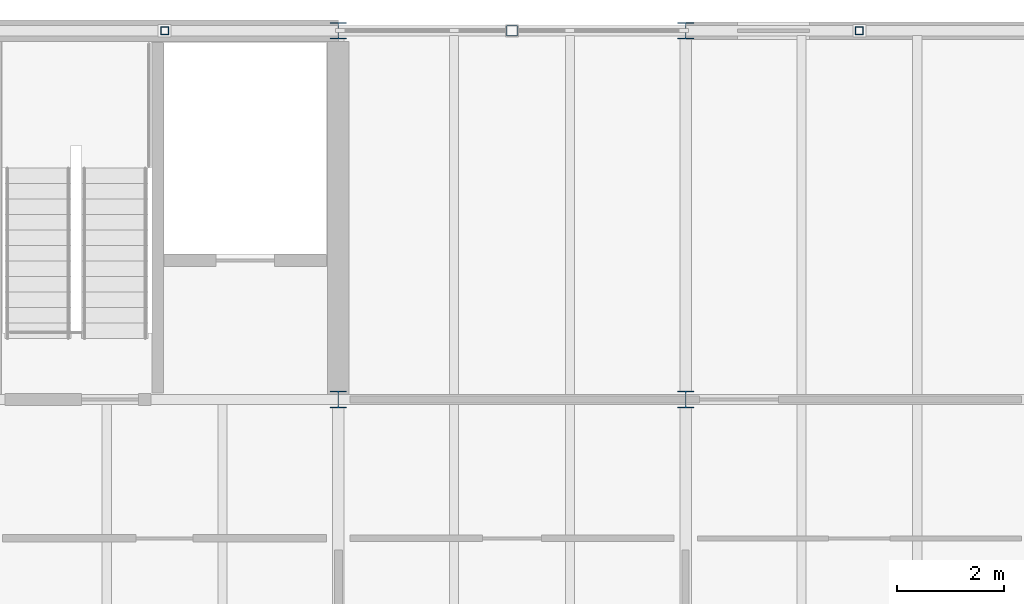
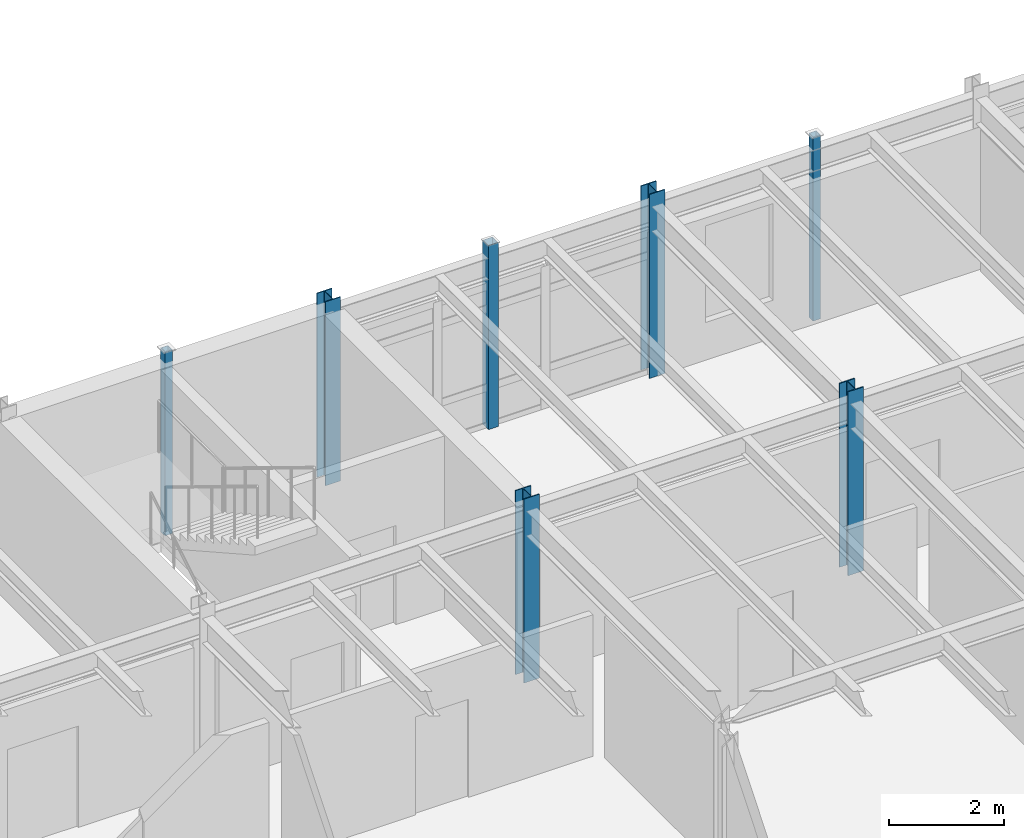
# One storey, part 9 of 49: 7 columns.
"""IFC4 building model written with IfcOpenShell, lengths in metres."""

from ifc_helpers import new_model, si_unit, direction, frame, origin, origin_2d, place, context, subcontext, project, spatial, hollow_rectangle, i_section, extrude, material, material_profile, profile_set, type_object, element, save


model = new_model("IFC4")

# Units and contexts
model_context = context("Model", 3, precision=1e-05, world=origin(), true_north=direction((0.0, 1.0)))
body_context = subcontext(model_context, "Body", "Model", "MODEL_VIEW")
ifc_project = project(units=[si_unit("LENGTHUNIT", "METRE"), si_unit("AREAUNIT", "SQUARE_METRE"), si_unit("VOLUMEUNIT", "CUBIC_METRE"), si_unit("PLANEANGLEUNIT", "RADIAN"), si_unit("MASSUNIT", "GRAM", prefix="KILO")], contexts=[model_context])

# Site, building, storey
site_placement = place(None, origin())
site = spatial("IfcSite", under=ifc_project, at=site_placement, CompositionType="ELEMENT")
building_placement = place(site_placement, origin())
building = spatial("IfcBuilding", under=site, at=building_placement, Name="Trelmorton Wharf Fire Station", CompositionType="ELEMENT")
storey_placement = place(building_placement, frame((0.0, 0.0, 9.60009765625)))
storey = spatial("IfcBuildingStorey", under=building, at=storey_placement, Name="L02", CompositionType="ELEMENT", Elevation=9.60009765625)

# Columns
ifc_material_1 = material(Name="Steel Grade 350", Category="steel")
ifc_material_profile_1 = material_profile(ifc_material_1, i_section(OverallWidth=0.306884765625, OverallDepth=0.31494140625, WebThickness=0.011962890625, FlangeThickness=0.018798828125, FilletRadius=0.0166015625, at=origin_2d()), Name="310UC118")
ifc_profile_set_1 = profile_set([ifc_material_profile_1], Name="Steel Grade 350")
column_type_1 = type_object("IfcColumnType", Name="COL_310UC118", PredefinedType="COLUMN", material=ifc_profile_set_1)
for number, where, z_axis, x_axis, name in (
    (1, (117.0, 74.10009765625, 0.0), (0.0, 0.0, 1.0), (1.0, 0.0, 0.0), "COL-L02-0526"),
    (2, (117.0, 81.0, 0.0), (0.0, 0.0, 1.0), (1.0, 0.0, 0.0), "COL-L02-0527"),
    (3, (123.5, 74.10009765625, 0.0), (0.0, 0.0, 1.0), (1.0, 0.0, 0.0), "COL-L02-0534"),
    (4, (123.5, 81.0, 0.0), (0.0, 0.0, 1.0), (1.0, 0.0, 0.0), "COL-L02-0535"),
):
    element("IfcColumn", number, at=place(storey_placement, frame(where, z_axis=z_axis, x_axis=x_axis)), inside=storey, type_object=column_type_1, Name=name, PredefinedType="COLUMN", context=body_context, shape_type="SweptSolid", body=[
        extrude(i_section(OverallWidth=0.306884765625, OverallDepth=0.31494140625, WebThickness=0.011962890625, FlangeThickness=0.018798828125, FilletRadius=0.0166015625, at=origin_2d()), origin(), (0.0, 0.0, 1.0), 3.89990234375),
    ])
ifc_material_2 = material(Name="Steel C350L0 (350 MPa)", Category="steel")
ifc_material_profile_2 = material_profile(ifc_material_2, hollow_rectangle(XDim=0.14990234375, YDim=0.14990234375, WallThickness=0.009033203125, at=origin_2d()), Name="150x150x9.0SHS")
ifc_profile_set_2 = profile_set([ifc_material_profile_2], Name="Steel C350L0 (350 MPa)")
column_type_2 = type_object("IfcColumnType", Name="PIL_150SHS", PredefinedType="PILASTER", material=ifc_profile_set_2)
for number, where, z_axis, x_axis, name in (
    (5, (113.75, 81.0, 0.0), (0.0, 0.0, 1.0), (1.0, 0.0, 0.0), "PIL-N-L02-003"),
    (6, (126.75, 81.0, 0.0), (0.0, 0.0, 1.0), (1.0, 0.0, 0.0), "PIL-N-L02-019"),
):
    element("IfcColumn", number, at=place(storey_placement, frame(where, z_axis=z_axis, x_axis=x_axis)), inside=storey, type_object=column_type_2, Name=name, PredefinedType="PILASTER", context=body_context, shape_type="SweptSolid", body=[
        extrude(hollow_rectangle(XDim=0.14990234375, YDim=0.14990234375, WallThickness=0.009033203125, at=origin_2d()), origin(), (0.0, 0.0, 1.0), 3.89990234375),
    ])
ifc_material_profile_3 = material_profile(ifc_material_2, hollow_rectangle(XDim=0.199951171875, YDim=0.199951171875, WallThickness=0.010009765625, at=origin_2d()), Name="200x200x10.0SHS")
ifc_profile_set_3 = profile_set([ifc_material_profile_3], Name="Steel C350L0 (350 MPa)")
column_type_3 = type_object("IfcColumnType", Name="PIL_200SHS", PredefinedType="PILASTER", material=ifc_profile_set_3)
column_placement = place(storey_placement, frame((120.25, 81.0, 0.0), z_axis=(0.0, 0.0, 1.0), x_axis=(1.0, 0.0, 0.0)))
element("IfcColumn", 7, at=column_placement, inside=storey, type_object=column_type_3, Name="PIL-N-L02-011", PredefinedType="PILASTER", context=body_context, shape_type="SweptSolid", body=[
    extrude(hollow_rectangle(XDim=0.199951171875, YDim=0.199951171875, WallThickness=0.010009765625, at=origin_2d()), origin(), (0.0, 0.0, 1.0), 3.89990234375),
])

save(model, "model.ifc")
